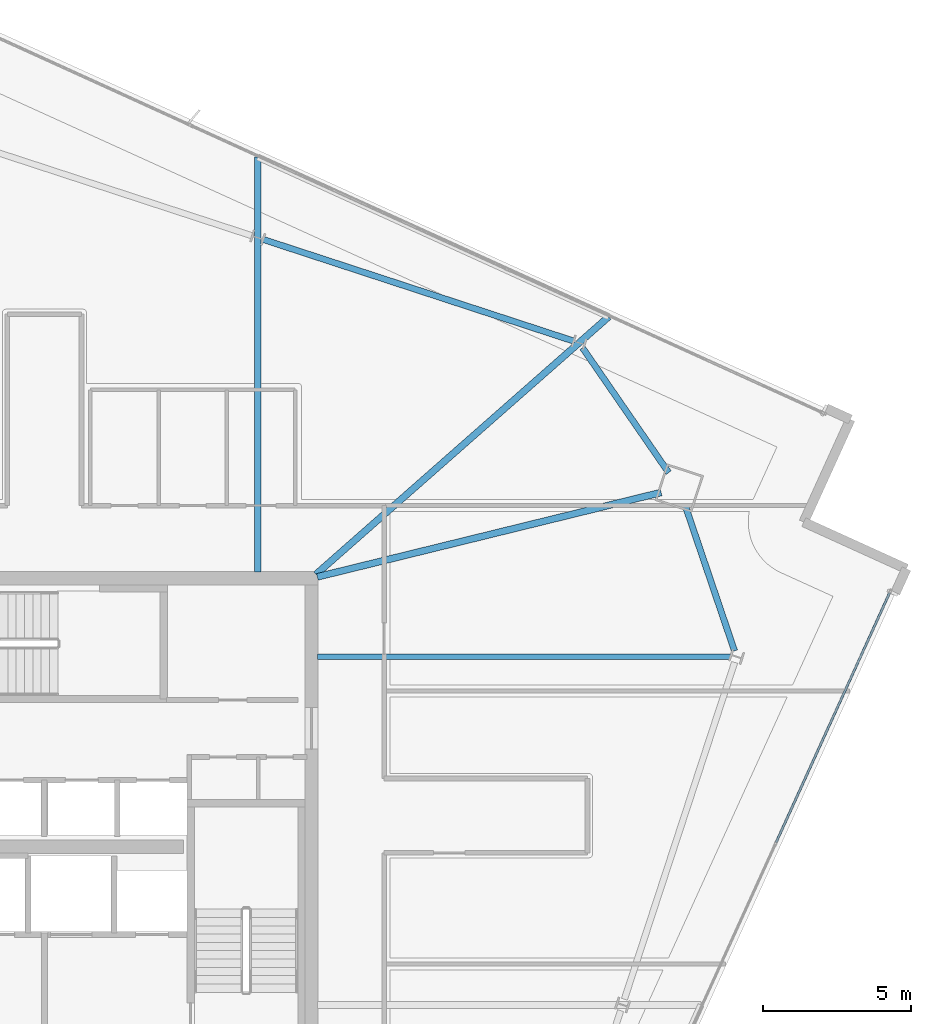
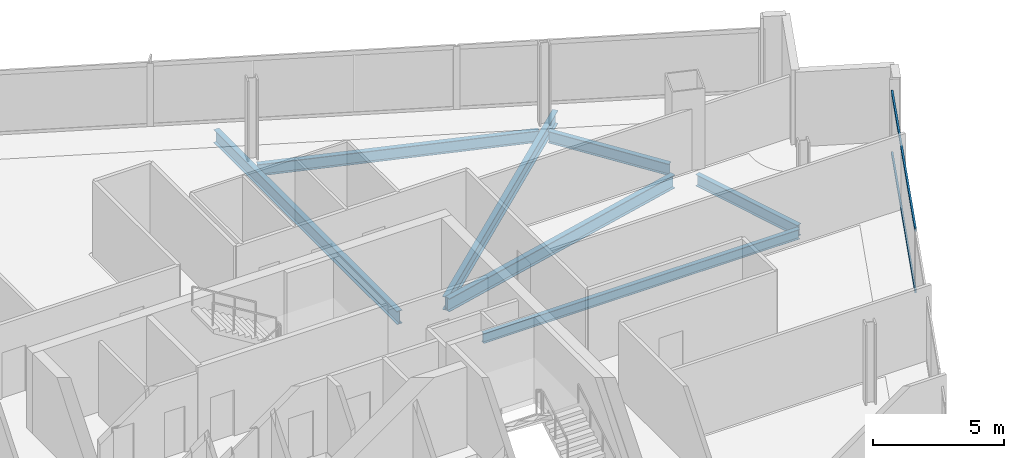
# One storey, part 15 of 26: 7 beams, 2 members, 1 element without a shape of its own.
"""IFC4 building model written with IfcOpenShell, lengths in metres."""

from ifc_helpers import new_model, si_unit, direction, frame, origin, origin_2d, place, context, subcontext, project, spatial, hollow_rectangle, i_section, extrude, material, material_profile, profile_set, type_object, element, aggregate, save


model = new_model("IFC4")

# Units and contexts
model_context = context("Model", 3, precision=1e-05, world=origin(), true_north=direction((0.0, 1.0)))
body_context = subcontext(model_context, "Body", "Model", "MODEL_VIEW")
ifc_project = project(units=[si_unit("LENGTHUNIT", "METRE"), si_unit("AREAUNIT", "SQUARE_METRE"), si_unit("VOLUMEUNIT", "CUBIC_METRE"), si_unit("PLANEANGLEUNIT", "RADIAN"), si_unit("MASSUNIT", "GRAM", prefix="KILO")], contexts=[model_context])

# Site, building, storey
site_placement = place(None, origin())
site = spatial("IfcSite", under=ifc_project, at=site_placement, CompositionType="ELEMENT")
building_placement = place(site_placement, origin())
building = spatial("IfcBuilding", under=site, at=building_placement, Name="Haldenkirk Collegiate Tower", CompositionType="ELEMENT")
storey_placement = place(building_placement, frame((0.0, 0.0, 248.699951171875)))
storey = spatial("IfcBuildingStorey", under=building, at=storey_placement, Name="L62", CompositionType="ELEMENT", Elevation=248.699951171875)

# Beams
ifc_material_1 = material(Name="Steel ASTM A992 Grade 50", Category="steel")
ifc_material_profile_1 = material_profile(ifc_material_1, i_section(OverallWidth=0.22998046875, OverallDepth=0.616943359375, WebThickness=0.01318359375, FlangeThickness=0.022216796875, at=origin_2d()), Name="W24X94")
ifc_profile_set_1 = profile_set([ifc_material_profile_1], Name="Steel ASTM A992 Grade 50")
beam_type_1 = type_object("IfcBeamType", Name="BM-GIRDER-W24X94", PredefinedType="BEAM", material=ifc_profile_set_1)
beam_1_placement = place(storey_placement, frame((56.783935546875, 36.893310546875, -0.578369140625), z_axis=(-0.971153636509, -0.238454637815, 0.0), x_axis=(0.238454637815, -0.971153636509, 0.0)))
element("IfcBeam", 1, at=beam_1_placement, inside=storey, type_object=beam_type_1, Name="L62 primary floor girder 02", PredefinedType="BEAM", context=body_context, shape_type="SweptSolid", body=[
    extrude(i_section(OverallWidth=0.22998046875, OverallDepth=0.616943359375, WebThickness=0.01318359375, FlangeThickness=0.022216796875, at=origin_2d()), origin(), (0.0, 0.0, 1.0), 11.9287109375),
])
beam_2_placement = place(storey_placement, frame((55.017822265625, 42.816650390625, -0.578369140625), z_axis=(-0.75068255523, -0.660663076971, 0.0), x_axis=(0.660663076971, -0.75068255523, 0.0)))
element("IfcBeam", 2, at=beam_2_placement, inside=storey, type_object=beam_type_1, Name="L62 primary floor girder 08", PredefinedType="BEAM", context=body_context, shape_type="SweptSolid", body=[
    extrude(i_section(OverallWidth=0.22998046875, OverallDepth=0.616943359375, WebThickness=0.01318359375, FlangeThickness=0.022216796875, at=origin_2d()), origin(), (0.0, 0.0, 1.0), 13.14013671875),
])
beam_3_placement = place(storey_placement, frame((43.18994140625, 48.1943359375, -0.578369140625), z_axis=(0.0, -1.0, 0.0), x_axis=(1.0, 0.0, 0.0)))
element("IfcBeam", 3, at=beam_3_placement, inside=storey, type_object=beam_type_1, Name="L62 primary floor girder 09", PredefinedType="BEAM", context=body_context, shape_type="SweptSolid", body=[
    extrude(i_section(OverallWidth=0.22998046875, OverallDepth=0.616943359375, WebThickness=0.01318359375, FlangeThickness=0.022216796875, at=origin_2d()), origin(), (0.0, 0.0, 1.0), 13.9892578125),
])
ifc_material_profile_2 = material_profile(ifc_material_1, i_section(OverallWidth=0.18994140625, OverallDepth=0.45703125, WebThickness=0.009033203125, FlangeThickness=0.014404296875, at=origin_2d()), Name="W18X50")
ifc_profile_set_2 = profile_set([ifc_material_profile_2], Name="Steel ASTM A992 Grade 50")
beam_type_2 = type_object("IfcBeamType", Name="BM-JOIST-W18X50", PredefinedType="JOIST", material=ifc_profile_set_2)
beam_4_placement = place(storey_placement, frame((59.12109375, 31.360107421875, -0.49853515625), z_axis=(-1.0, 0.0, 0.0), x_axis=(0.0, -1.0, 0.0)))
element("IfcBeam", 4, at=beam_4_placement, inside=storey, type_object=beam_type_2, Name="L62 composite floor joist 07", PredefinedType="JOIST", context=body_context, shape_type="SweptSolid", body=[
    extrude(i_section(OverallWidth=0.18994140625, OverallDepth=0.45703125, WebThickness=0.009033203125, FlangeThickness=0.014404296875, at=origin_2d()), origin(), (0.0, 0.0, 1.0), 13.916015625),
])
ifc_material_profile_3 = material_profile(ifc_material_1, i_section(OverallWidth=0.2099609375, OverallDepth=0.537109375, WebThickness=0.010986328125, FlangeThickness=0.017333984375, at=origin_2d()), Name="W21X68")
ifc_profile_set_3 = profile_set([ifc_material_profile_3], Name="Steel ASTM A992 Grade 50")
beam_type_3 = type_object("IfcBeamType", Name="BM-SPANDREL-W21X68", PredefinedType="SPANDREL", material=ifc_profile_set_3)
beam_5_placement = place(storey_placement, frame((59.258544921875, 31.5517578125, -0.538330078125), z_axis=(-0.321225245884, 0.947002820168, 0.0), x_axis=(-0.947002820168, -0.321225245884, 0.0)))
element("IfcBeam", 5, at=beam_5_placement, inside=storey, type_object=beam_type_3, Name="L62 perimeter spandrel beam 04", PredefinedType="SPANDREL", context=body_context, shape_type="SweptSolid", body=[
    extrude(i_section(OverallWidth=0.2099609375, OverallDepth=0.537109375, WebThickness=0.010986328125, FlangeThickness=0.017333984375, at=origin_2d()), origin(), (0.0, 0.0, 1.0), 5.1689453125),
])
beam_6_placement = place(storey_placement, frame((57.037841796875, 37.56201171875, -0.538330078125), z_axis=(-0.568092176681, 0.822964931692, 0.0), x_axis=(-0.822964931692, -0.568092176681, 0.0)))
element("IfcBeam", 6, at=beam_6_placement, inside=storey, type_object=beam_type_3, Name="L62 perimeter spandrel beam 05", PredefinedType="SPANDREL", context=body_context, shape_type="SweptSolid", body=[
    extrude(i_section(OverallWidth=0.2099609375, OverallDepth=0.537109375, WebThickness=0.010986328125, FlangeThickness=0.017333984375, at=origin_2d()), origin(), (0.0, 0.0, 1.0), 5.11328125),
])
beam_7_placement = place(storey_placement, frame((53.825439453125, 41.99951171875, -0.538330078125), z_axis=(-0.950402144652, 0.311023734531, 0.0), x_axis=(-0.311023734531, -0.950402144652, 0.0)))
element("IfcBeam", 7, at=beam_7_placement, inside=storey, type_object=beam_type_3, Name="L62 perimeter spandrel beam 06", PredefinedType="SPANDREL", context=body_context, shape_type="SweptSolid", body=[
    extrude(i_section(OverallWidth=0.2099609375, OverallDepth=0.537109375, WebThickness=0.010986328125, FlangeThickness=0.017333984375, at=origin_2d()), origin(), (0.0, 0.0, 1.0), 10.98779296875),
])

# Curtain wall, members
ifc_material_2 = material(Name="Anodised architectural bronze aluminium", Category="aluminium")
curtain_wall_type = type_object("IfcCurtainWallType", Name="CW-SYS2-CONCAVE", PredefinedType="USERDEFINED", material=ifc_material_2)
curtain_wall_placement = place(storey_placement, origin())
curtain_wall = element("IfcCurtainWall", 8, at=curtain_wall_placement, inside=storey, type_object=curtain_wall_type, Name="L62 South concave recessed bronze-anodised curtain wall", ObjectType="UNITISED CURTAIN WALL", PredefinedType="USERDEFINED")
ifc_material_profile_4 = material_profile(ifc_material_2, hollow_rectangle(XDim=0.074951171875, YDim=0.159912109375, WallThickness=0.0048828125, at=origin_2d()), Name="CW-TRN-02")
ifc_profile_set_4 = profile_set([ifc_material_profile_4], Name="Anodised architectural bronze aluminium")
member_type = type_object("IfcMemberType", Name="CW-TRN-02", PredefinedType="USERDEFINED", material=ifc_profile_set_4)
member_1_placement = place(storey_placement, frame((64.482421875, 33.509521484375, 0.03759765625), z_axis=(-0.413914452517, -0.910315783669, 0.0), x_axis=(0.910315783669, -0.413914452517, 0.0)))
member_1 = element("IfcMember", 9, at=member_1_placement, type_object=member_type, Name="CW-02 transom 1.1", ObjectType="TRANSOM", PredefinedType="USERDEFINED", context=body_context, shape_type="SweptSolid", body=[
    extrude(hollow_rectangle(XDim=0.074951171875, YDim=0.159912109375, WallThickness=0.0048828125, at=origin_2d()), origin(), (0.0, 0.0, 1.0), 9.2373046875),
])
member_2_placement = place(storey_placement, frame((64.482421875, 33.509521484375, 2.900634765625), z_axis=(-0.413914452517, -0.910315783669, 0.0), x_axis=(0.910315783669, -0.413914452517, 0.0)))
member_2 = element("IfcMember", 10, at=member_2_placement, type_object=member_type, Name="CW-02 transom 1.2", ObjectType="TRANSOM", PredefinedType="USERDEFINED", context=body_context, shape_type="SweptSolid", body=[
    extrude(hollow_rectangle(XDim=0.074951171875, YDim=0.159912109375, WallThickness=0.0048828125, at=origin_2d()), origin(), (0.0, 0.0, 1.0), 9.2373046875),
])
aggregate(curtain_wall, [member_1, member_2])

save(model, "model.ifc")
